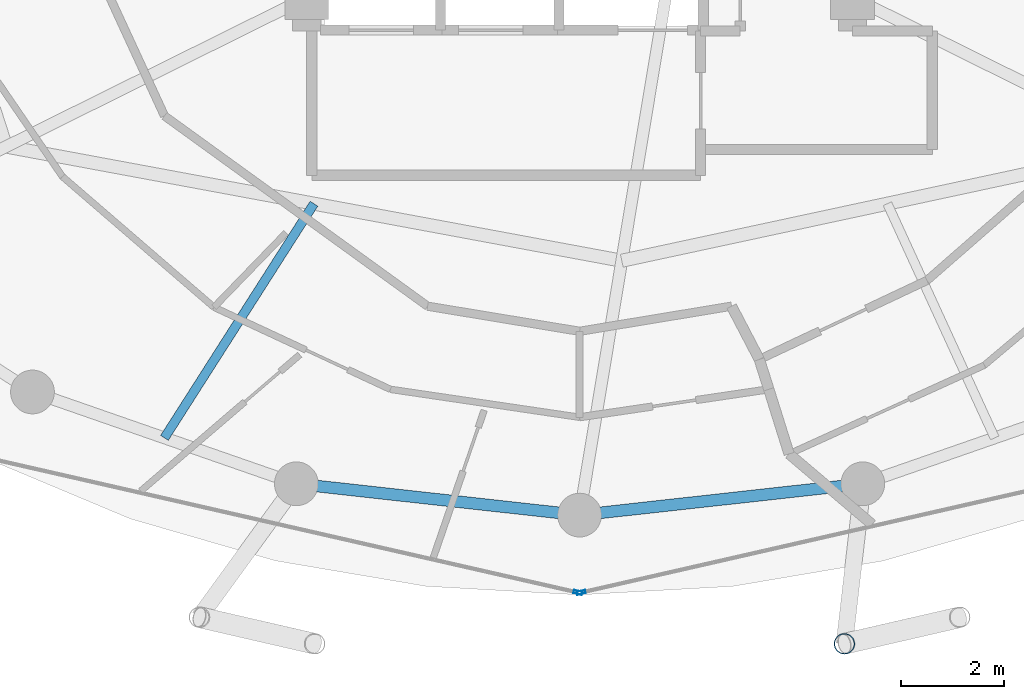
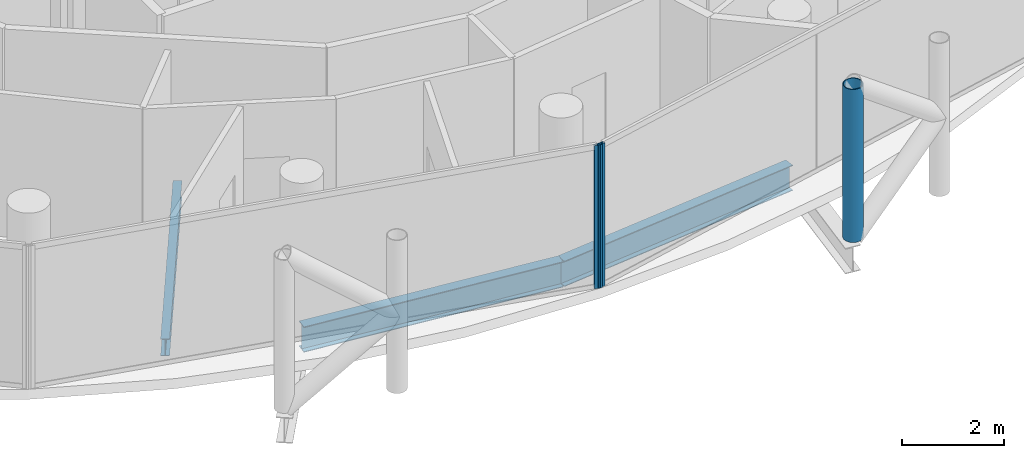
# One storey, part 5 of 27: 3 beams, 3 members, 2 elements without a shape of their own.
"""IFC4 building model written with IfcOpenShell, lengths in metres."""

from ifc_helpers import new_model, si_unit, direction, frame, origin, origin_2d, place, context, subcontext, project, spatial, hollow_rectangle, hollow_circle, i_section, extrude, material, layer, layer_set, material_profile, profile_set, type_object, element, aggregate, save


model = new_model("IFC4")

# Units and contexts
model_context = context("Model", 3, precision=1e-05, world=origin(), true_north=direction((0.0, 1.0)))
body_context = subcontext(model_context, "Body", "Model", "MODEL_VIEW")
ifc_project = project(units=[si_unit("LENGTHUNIT", "METRE"), si_unit("AREAUNIT", "SQUARE_METRE"), si_unit("VOLUMEUNIT", "CUBIC_METRE"), si_unit("PLANEANGLEUNIT", "RADIAN"), si_unit("MASSUNIT", "GRAM", prefix="KILO")], contexts=[model_context])

# Site, building, storey
site_placement = place(None, origin())
site = spatial("IfcSite", under=ifc_project, at=site_placement, CompositionType="ELEMENT")
building_placement = place(site_placement, origin())
building = spatial("IfcBuilding", under=site, at=building_placement, Name="Nuhasar Tower", CompositionType="ELEMENT")
storey_placement = place(building_placement, frame((0.0, 0.0, 248.300048828125)))
storey = spatial("IfcBuildingStorey", under=building, at=storey_placement, Name="L61", CompositionType="ELEMENT", Elevation=248.300048828125)

# Beams
ifc_material_1 = material(Name="Steel S355", Category="steel")
ifc_material_profile_1 = material_profile(ifc_material_1, i_section(OverallWidth=0.177978515625, OverallDepth=0.406005859375, WebThickness=0.0078125, FlangeThickness=0.0126953125, at=origin_2d()), Name="W16X40")
ifc_profile_set_1 = profile_set([ifc_material_profile_1], Name="Steel S355")
beam_type_1 = type_object("IfcBeamType", Name="BM-JST-W16X40", PredefinedType="JOIST", material=ifc_profile_set_1)
beam_placement = place(storey_placement, frame((33.842041015625, 14.998046875, -0.443115234375), z_axis=(-0.538168818546, -0.842837067733, 0.0), x_axis=(0.842837067733, -0.538168818546, 0.0)))
element("IfcBeam", 1, at=beam_placement, inside=storey, type_object=beam_type_1, Name="L61 Secondary Floor Joist 01", PredefinedType="JOIST", context=body_context, shape_type="SweptSolid", body=[
    extrude(i_section(OverallWidth=0.177978515625, OverallDepth=0.406005859375, WebThickness=0.0078125, FlangeThickness=0.0126953125, at=origin_2d()), origin(), (0.0, 0.0, 1.0), 5.396240234375),
])
ifc_material_profile_2 = material_profile(ifc_material_1, i_section(OverallWidth=0.22802734375, OverallDepth=0.60791015625, WebThickness=0.01123046875, FlangeThickness=0.017333984375, at=origin_2d()), Name="W24X76")
ifc_profile_set_2 = profile_set([ifc_material_profile_2], Name="Steel S355")
beam_type_2 = type_object("IfcBeamType", Name="BM-RING-W24X76", PredefinedType="SPANDREL", material=ifc_profile_set_2)
for number, where, z_axis, x_axis, name in (
    (2, (33.5, 9.55810546875, -0.5439453125), (0.993942242238, -0.109903680993, 0.0), (0.109903680993, 0.993942242238, 0.0), "L61 Perimeter Ring Spandrel 18"),
    (3, (39.0, 8.949951171875, -0.5439453125), (0.993942242238, 0.109903680993, 0.0), (-0.109903680993, 0.993942242238, 0.0), "L61 Perimeter Ring Spandrel 19"),
):
    element("IfcBeam", number, at=place(storey_placement, frame(where, z_axis=z_axis, x_axis=x_axis)), inside=storey, type_object=beam_type_2, Name=name, PredefinedType="SPANDREL", context=body_context, shape_type="SweptSolid", body=[
        extrude(i_section(OverallWidth=0.22802734375, OverallDepth=0.60791015625, WebThickness=0.01123046875, FlangeThickness=0.017333984375, at=origin_2d()), origin(), (0.0, 0.0, 1.0), 5.533447265625),
    ])

# Curtain wall, member
ifc_material_2 = material(Name="Aluminium 6063-T6", Category="aluminium")
ifc_layer = layer(ifc_material_2, 0.18994140625)
ifc_layer_set = layer_set([ifc_layer], Name="Aluminium 6063-T6")
curtain_wall_type = type_object("IfcCurtainWallType", Name="CW-Z3-RES", PredefinedType="NOTDEFINED", material=ifc_layer_set)
curtain_wall_1_placement = place(storey_placement, origin())
curtain_wall_1 = element("IfcCurtainWall", 4, at=curtain_wall_1_placement, inside=storey, type_object=curtain_wall_type, Name="L61 Unitised Curtain Wall 09", PredefinedType="NOTDEFINED")
ifc_material_profile_3 = material_profile(ifc_material_2, hollow_rectangle(XDim=0.06494140625, YDim=0.169921875, WallThickness=0.0048828125, at=origin_2d()), Name="CWM-4")
ifc_profile_set_3 = profile_set([ifc_material_profile_3], Name="Aluminium 6063-T6")
member_type_1 = type_object("IfcMemberType", Name="CW-MUL-S4", PredefinedType="MULLION", material=ifc_profile_set_3)
member_1_placement = place(storey_placement, frame((38.96826171875, 7.447265625, 0.0), z_axis=(0.0, 0.0, 1.0), x_axis=(0.222243176313, 0.974991266926, 0.0)))
member_1 = element("IfcMember", 5, at=member_1_placement, type_object=member_type_1, Name="CW-Z3 mullion 2", PredefinedType="MULLION", context=body_context, shape_type="SweptSolid", body=[
    extrude(hollow_rectangle(XDim=0.06494140625, YDim=0.169921875, WallThickness=0.0048828125, at=origin_2d()), origin(), (0.0, 0.0, 1.0), 3.409912109375),
])
aggregate(curtain_wall_1, [member_1])

curtain_wall_2_placement = place(storey_placement, origin())
curtain_wall_2 = element("IfcCurtainWall", 6, at=curtain_wall_2_placement, inside=storey, type_object=curtain_wall_type, Name="L61 Unitised Curtain Wall 10", PredefinedType="NOTDEFINED")
member_2_placement = place(storey_placement, frame((39.03173828125, 7.447265625, 0.0), z_axis=(0.0, 0.0, 1.0), x_axis=(-0.222243176313, 0.974991266926, 0.0)))
member_2 = element("IfcMember", 7, at=member_2_placement, type_object=member_type_1, Name="CW-Z3 mullion 1", PredefinedType="MULLION", context=body_context, shape_type="SweptSolid", body=[
    extrude(hollow_rectangle(XDim=0.06494140625, YDim=0.169921875, WallThickness=0.0048828125, at=origin_2d()), origin(), (0.0, 0.0, 1.0), 3.409912109375),
])
aggregate(curtain_wall_2, [member_2])

# Member
ifc_material_3 = material(Name="Steel S460", Category="steel")
ifc_material_profile_4 = material_profile(ifc_material_3, hollow_circle(Radius=0.203125, WallThickness=0.01904296875, at=origin_2d()), Name="HSS406.4X19.1")
ifc_profile_set_4 = profile_set([ifc_material_profile_4], Name="Steel S460")
member_type_2 = type_object("IfcMemberType", Name="EXO-BRONZE-406", PredefinedType="BRACE", material=ifc_profile_set_4)
member_3_placement = place(storey_placement, frame((44.14306640625, 6.450927734375, 0.0), z_axis=(0.0, 0.0, 1.0), x_axis=(1.0, 0.0, 0.0)))
element("IfcMember", 8, at=member_3_placement, inside=storey, type_object=member_type_2, Name="L61 Exoskeleton Chord Column EC-10A", PredefinedType="BRACE", context=body_context, shape_type="SweptSolid", body=[
    extrude(hollow_circle(Radius=0.203125, WallThickness=0.01904296875, at=origin_2d()), origin(), (0.0, 0.0, 1.0), 3.64990234375),
])

save(model, "model.ifc")
